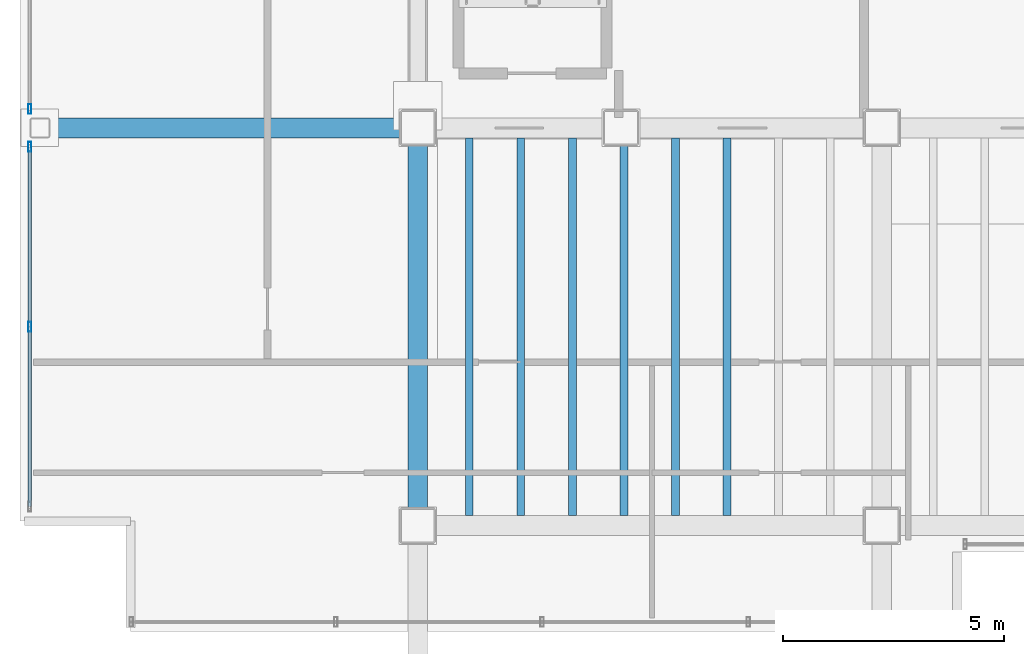
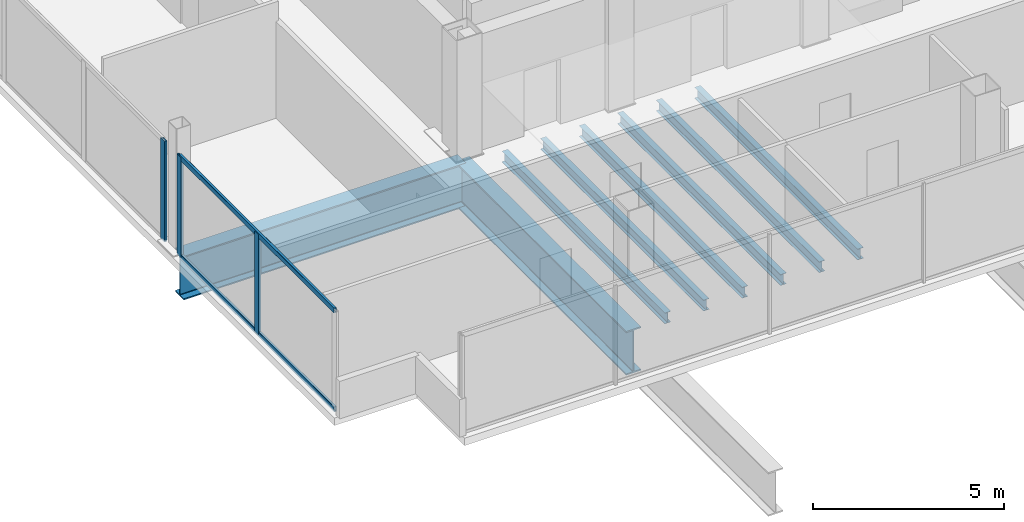
# One storey, part 4 of 19: 8 beams, 5 members, 2 elements without a shape of their own.
"""IFC4 building model written with IfcOpenShell, lengths in metres."""

from ifc_helpers import new_model, si_unit, direction, frame, origin, origin_2d, place, context, subcontext, project, spatial, hollow_rectangle, i_section, extrude, material, material_profile, profile_set, type_object, element, aggregate, save


model = new_model("IFC4")

# Units and contexts
model_context = context("Model", 3, precision=1e-05, world=origin(), true_north=direction((0.0, 1.0)))
body_context = subcontext(model_context, "Body", "Model", "MODEL_VIEW")
ifc_project = project(units=[si_unit("LENGTHUNIT", "METRE"), si_unit("AREAUNIT", "SQUARE_METRE"), si_unit("VOLUMEUNIT", "CUBIC_METRE"), si_unit("PLANEANGLEUNIT", "RADIAN"), si_unit("MASSUNIT", "GRAM", prefix="KILO")], contexts=[model_context])

# Site, building, storey
site_placement = place(None, origin())
site = spatial("IfcSite", under=ifc_project, at=site_placement, CompositionType="ELEMENT")
building_placement = place(site_placement, origin())
building = spatial("IfcBuilding", under=site, at=building_placement, Name="Noeulbin Bourse Tower", CompositionType="ELEMENT")
storey_placement = place(building_placement, frame((0.0, 0.0, 257.89990234375)))
storey = spatial("IfcBuildingStorey", under=building, at=storey_placement, Name="L64", CompositionType="ELEMENT", Elevation=257.89990234375)

# Beams
ifc_material_1 = material(Name="Steel S355", Category="steel")
ifc_material_profile_1 = material_profile(ifc_material_1, i_section(OverallWidth=0.175048828125, OverallDepth=0.35009765625, WebThickness=0.007080078125, FlangeThickness=0.010986328125, FilletRadius=0.013916015625, at=origin_2d()), Name="H-350x175x7x11", Category="LoadBearing")
ifc_profile_set_1 = profile_set([ifc_material_profile_1], Name="Steel S355")
beam_type_1 = type_object("IfcBeamType", Name="BM-JST-350", PredefinedType="JOIST", material=ifc_profile_set_1)
for number, where, z_axis, x_axis, name in (
    (1, (14.666748046875, 20.22509765625, -0.414794921875), (0.0, 1.0, 0.0), (-1.0, 0.0, 0.0), "Tower Composite Joist L64-01"),
    (2, (15.833251953125, 20.22509765625, -0.414794921875), (0.0, 1.0, 0.0), (-1.0, 0.0, 0.0), "Tower Composite Joist L64-03"),
    (3, (17.0, 20.22509765625, -0.414794921875), (0.0, 1.0, 0.0), (-1.0, 0.0, 0.0), "Tower Composite Joist L64-05"),
    (4, (18.166748046875, 20.22509765625, -0.414794921875), (0.0, 1.0, 0.0), (-1.0, 0.0, 0.0), "Tower Composite Joist L64-07"),
    (5, (19.333251953125, 20.22509765625, -0.414794921875), (0.0, 1.0, 0.0), (-1.0, 0.0, 0.0), "Tower Composite Joist L64-09"),
    (6, (20.5, 20.22509765625, -0.414794921875), (0.0, 1.0, 0.0), (-1.0, 0.0, 0.0), "Tower Composite Joist L64-11"),
):
    element("IfcBeam", number, at=place(storey_placement, frame(where, z_axis=z_axis, x_axis=x_axis)), inside=storey, type_object=beam_type_1, Name=name, PredefinedType="JOIST", context=body_context, shape_type="SweptSolid", body=[
        extrude(i_section(OverallWidth=0.175048828125, OverallDepth=0.35009765625, WebThickness=0.007080078125, FlangeThickness=0.010986328125, FilletRadius=0.013916015625, at=origin_2d()), origin(), (0.0, 0.0, 1.0), 8.5498046875),
    ])
ifc_material_2 = material(Name="Steel S460", Category="steel")
ifc_material_profile_2 = material_profile(ifc_material_2, i_section(OverallWidth=0.449951171875, OverallDepth=1.39990234375, WebThickness=0.02392578125, FlangeThickness=0.0400390625, FilletRadius=0.02392578125, at=origin_2d()), Name="PG-1400x450x24x40", Category="LoadBearing")
ifc_profile_set_2 = profile_set([ifc_material_profile_2], Name="Steel S460")
beam_type_2 = type_object("IfcBeamType", Name="BM-TRF-1400", PredefinedType="USERDEFINED", material=ifc_profile_set_2)
beam_1_placement = place(storey_placement, frame((4.949951171875, 29.0, -0.93994140625), z_axis=(1.0, 0.0, 0.0), x_axis=(0.0, 1.0, 0.0)))
element("IfcBeam", 7, at=beam_1_placement, inside=storey, type_object=beam_type_2, Name="Tower Primary Girder EW L64-2.1", ObjectType="GIRDER", PredefinedType="USERDEFINED", context=body_context, shape_type="SweptSolid", body=[
    extrude(i_section(OverallWidth=0.449951171875, OverallDepth=1.39990234375, WebThickness=0.02392578125, FlangeThickness=0.0400390625, FilletRadius=0.02392578125, at=origin_2d()), origin(), (0.0, 0.0, 1.0), 8.550048828125),
])
beam_2_placement = place(storey_placement, frame((13.5, 20.0, -0.93994140625), z_axis=(0.0, 1.0, 0.0), x_axis=(-1.0, 0.0, 0.0)))
element("IfcBeam", 8, at=beam_2_placement, inside=storey, type_object=beam_type_2, Name="Tower Primary Girder NS L64-1.2", ObjectType="GIRDER", PredefinedType="USERDEFINED", context=body_context, shape_type="SweptSolid", body=[
    extrude(i_section(OverallWidth=0.449951171875, OverallDepth=1.39990234375, WebThickness=0.02392578125, FlangeThickness=0.0400390625, FilletRadius=0.02392578125, at=origin_2d()), origin(), (0.0, 0.0, 1.0), 9.0),
])

# Curtain wall, members
ifc_material_3 = material(Name="High-Selectivity Low-Iron Glazing", Category="glass")
curtain_wall_type = type_object("IfcCurtainWallType", Name="CW-SYS-4", PredefinedType="NOTDEFINED", material=ifc_material_3)
curtain_wall_1_placement = place(storey_placement, origin())
curtain_wall_1 = element("IfcCurtainWall", 9, at=curtain_wall_1_placement, inside=storey, type_object=curtain_wall_type, Name="Unitised Curtain Wall CW-L64-W-S1", PredefinedType="NOTDEFINED")
ifc_material_4 = material(Name="Anodised Aluminium 6063-T6", Category="aluminium")
ifc_material_profile_3 = material_profile(ifc_material_4, hollow_rectangle(XDim=0.074951171875, YDim=0.219970703125, WallThickness=0.0048828125, InnerFilletRadius=0.00244140625, OuterFilletRadius=0.0048828125, at=origin_2d()), Name="ALU-MULL-75x220x5", Category="LoadBearing")
ifc_profile_set_3 = profile_set([ifc_material_profile_3], Name="Anodised Aluminium 6063-T6")
member_type_1 = type_object("IfcMemberType", Name="CW-SYS-4-MUL", PredefinedType="MULLION", material=ifc_profile_set_3)
member_1_placement = place(storey_placement, frame((4.719970703125, 24.5, -0.02001953125), z_axis=(0.0, 0.0, 1.0), x_axis=(1.0, 0.0, 0.0)))
member_1 = element("IfcMember", 10, at=member_1_placement, type_object=member_type_1, Name="Curtain Wall Mullion CW-L64-W-S1-M01", PredefinedType="MULLION", context=body_context, shape_type="SweptSolid", body=[
    extrude(hollow_rectangle(XDim=0.074951171875, YDim=0.219970703125, WallThickness=0.0048828125, InnerFilletRadius=0.00244140625, OuterFilletRadius=0.0048828125, at=origin_2d()), origin(), (0.0, 0.0, 1.0), 3.22021484375),
])
member_2_placement = place(storey_placement, frame((4.719970703125, 28.574951171875, -0.02001953125), z_axis=(0.0, 0.0, 1.0), x_axis=(1.0, 0.0, 0.0)))
member_2 = element("IfcMember", 11, at=member_2_placement, type_object=member_type_1, Name="Curtain Wall Mullion CW-L64-W-S1-M02", PredefinedType="MULLION", context=body_context, shape_type="SweptSolid", body=[
    extrude(hollow_rectangle(XDim=0.074951171875, YDim=0.219970703125, WallThickness=0.0048828125, InnerFilletRadius=0.00244140625, OuterFilletRadius=0.0048828125, at=origin_2d()), origin(), (0.0, 0.0, 1.0), 3.22021484375),
])

# Curtain wall, member
curtain_wall_2_placement = place(storey_placement, origin())
curtain_wall_2 = element("IfcCurtainWall", 12, at=curtain_wall_2_placement, inside=storey, type_object=curtain_wall_type, Name="Unitised Curtain Wall CW-L64-W-S2", PredefinedType="NOTDEFINED")
member_3_placement = place(storey_placement, frame((4.719970703125, 29.425048828125, -0.02001953125), z_axis=(0.0, 0.0, 1.0), x_axis=(1.0, 0.0, 0.0)))
member_3 = element("IfcMember", 13, at=member_3_placement, type_object=member_type_1, Name="Curtain Wall Mullion CW-L64-W-S2-M00", PredefinedType="MULLION", context=body_context, shape_type="SweptSolid", body=[
    extrude(hollow_rectangle(XDim=0.074951171875, YDim=0.219970703125, WallThickness=0.0048828125, InnerFilletRadius=0.00244140625, OuterFilletRadius=0.0048828125, at=origin_2d()), origin(), (0.0, 0.0, 1.0), 3.22021484375),
])
aggregate(curtain_wall_2, [member_3])

# Member
ifc_material_profile_4 = material_profile(ifc_material_4, hollow_rectangle(XDim=0.074951171875, YDim=0.159912109375, WallThickness=0.0048828125, InnerFilletRadius=0.00244140625, OuterFilletRadius=0.0048828125, at=origin_2d()), Name="ALU-TRAN-75x160x5", Category="LoadBearing")
ifc_profile_set_4 = profile_set([ifc_material_profile_4], Name="Anodised Aluminium 6063-T6")
member_type_2 = type_object("IfcMemberType", Name="CW-SYS-4-TRN", PredefinedType="USERDEFINED", material=ifc_profile_set_4)
member_4_placement = place(storey_placement, frame((4.719970703125, 20.43505859375, 0.010009765625), z_axis=(0.0, 1.0, 0.0), x_axis=(-1.0, 0.0, 0.0)))
member_4 = element("IfcMember", 14, at=member_4_placement, type_object=member_type_2, Name="Curtain Wall Transom CW-L64-W-S1-T00", ObjectType="TRANSOM", PredefinedType="USERDEFINED", context=body_context, shape_type="SweptSolid", body=[
    extrude(hollow_rectangle(XDim=0.074951171875, YDim=0.159912109375, WallThickness=0.0048828125, InnerFilletRadius=0.00244140625, OuterFilletRadius=0.0048828125, at=origin_2d()), origin(), (0.0, 0.0, 1.0), 8.1298828125),
])

member_5_placement = place(storey_placement, frame((4.719970703125, 20.43505859375, 3.170166015625), z_axis=(0.0, 1.0, 0.0), x_axis=(-1.0, 0.0, 0.0)))
member_5 = element("IfcMember", 15, at=member_5_placement, type_object=member_type_2, Name="Curtain Wall Transom CW-L64-W-S1-T01", ObjectType="TRANSOM", PredefinedType="USERDEFINED", context=body_context, shape_type="SweptSolid", body=[
    extrude(hollow_rectangle(XDim=0.074951171875, YDim=0.159912109375, WallThickness=0.0048828125, InnerFilletRadius=0.00244140625, OuterFilletRadius=0.0048828125, at=origin_2d()), origin(), (0.0, 0.0, 1.0), 8.1298828125),
])

aggregate(curtain_wall_1, [member_1, member_2, member_4, member_5])

save(model, "model.ifc")
